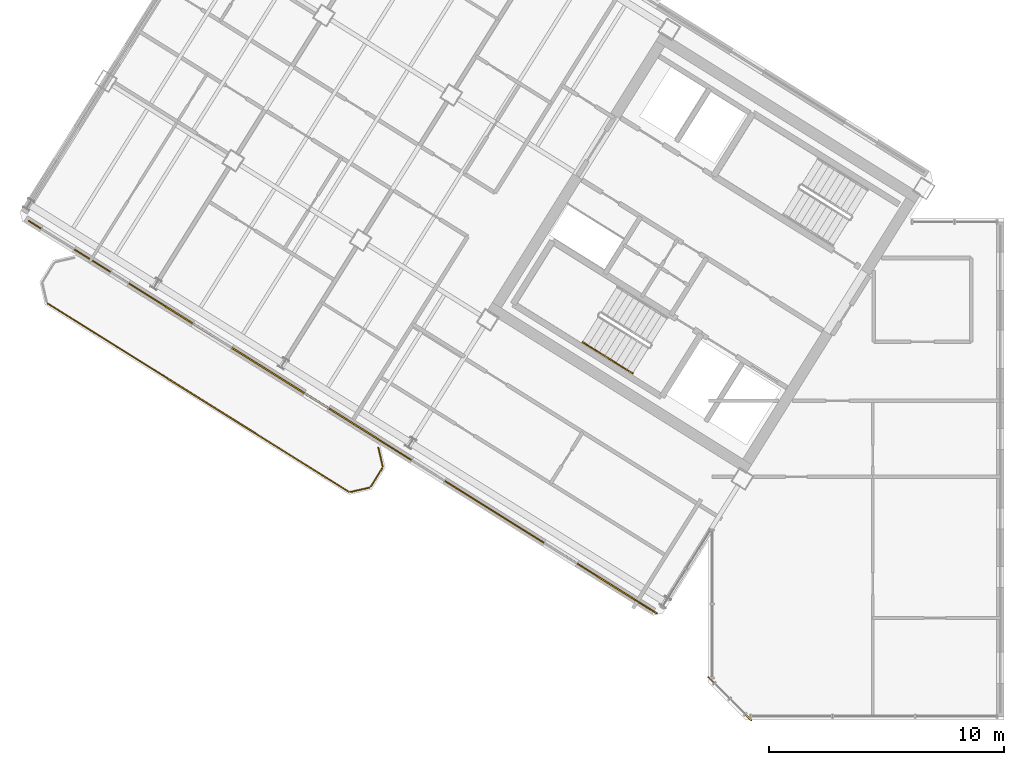
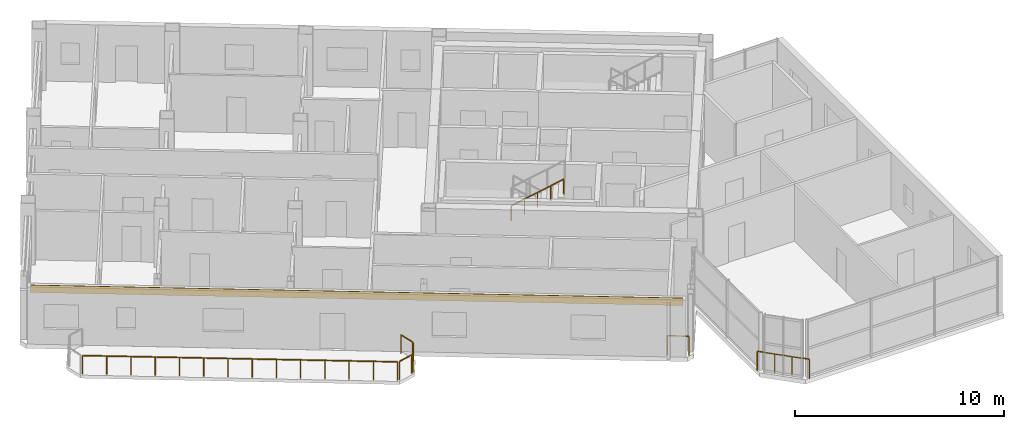
# One storey, part 12 of 17: 8 railings, 1 covering.
"""IFC4 building model written with IfcOpenShell, lengths in metres."""

import ifcopenshell
import ifcopenshell.guid

model = None  # the IFC model being written
_history = None  # IfcOwnerHistory: only IFC2X3 demands one
_inside = {}  # id of a spatial element -> (the spatial element, [elements in it])
_under = {}  # id of a project, library or spatial element -> (it, [spatial elements below it])
_declared = {}  # id of a project -> (the project, [libraries it declares])
_typed = {}  # id of a type object -> (the type object, [elements of that type])
_made_of = {}  # id of a material, layer set ... -> (it, [elements and type objects made of it])


def new_model(schema):
    """Start an empty IFC model of exactly this schema.

    Asked for "IFC4X3", IfcOpenShell would pick the latest addendum, in which some entities
    have other attributes; the version numbers below select the first issue.
    IFC2X3 requires an IfcOwnerHistory on every rooted entity: one is made here for all.
    """
    global model, _history
    if schema == "IFC4X3":
        model = ifcopenshell.file(schema_version=(4, 3, 0, 0))
    else:
        model = ifcopenshell.file(schema=schema)
    _inside.clear()
    _under.clear()
    _declared.clear()
    _typed.clear()
    _made_of.clear()
    _history = None
    if model.schema == "IFC2X3":
        org = make("IfcOrganization", Name="unknown")
        user = make(
            "IfcPersonAndOrganization",
            ThePerson=make("IfcPerson", FamilyName="unknown"),
            TheOrganization=org,
        )
        app = make(
            "IfcApplication",
            ApplicationDeveloper=org,
            Version="unknown",
            ApplicationFullName="unknown",
            ApplicationIdentifier="unknown",
        )
        _history = make(
            "IfcOwnerHistory",
            OwningUser=user,
            OwningApplication=app,
            ChangeAction="ADDED",
            CreationDate=0,
        )
    return model


def make(cls, **values):
    """One entity of the class cls with the attributes given. An attribute that is None is left unset."""
    return model.create_entity(
        cls, **{name: value for name, value in values.items() if value is not None}
    )


def rooted(cls, **values):
    """An entity with a GlobalId (a new one), such as an element, a storey or a relation."""
    return make(cls, GlobalId=ifcopenshell.guid.new(), OwnerHistory=_history, **values)


def si_unit(unit_type, name, prefix=None):
    """IfcSIUnit, for example si_unit("LENGTHUNIT", "METRE", prefix="MILLI")."""
    return make("IfcSIUnit", UnitType=unit_type, Prefix=prefix, Name=name)


def assignment(units):
    """IfcUnitAssignment: the units of a project."""
    return None if units is None else make("IfcUnitAssignment", Units=units)


def point(xyz):
    """IfcCartesianPoint."""
    return None if xyz is None else make("IfcCartesianPoint", Coordinates=xyz)


def direction(xyz):
    """IfcDirection."""
    return None if xyz is None else make("IfcDirection", DirectionRatios=xyz)


def frame(location, z_axis=None, x_axis=None):
    """IfcAxis2Placement3D, a coordinate frame: its origin and axes. An axis left out is left unset."""
    return make(
        "IfcAxis2Placement3D",
        Location=point(location),
        Axis=direction(z_axis),
        RefDirection=direction(x_axis),
    )


def frame_2d(location, x_axis=None):
    """IfcAxis2Placement2D, a coordinate frame in the plane: its origin and x axis."""
    return make(
        "IfcAxis2Placement2D", Location=point(location), RefDirection=direction(x_axis)
    )


def origin():
    """The frame at (0, 0, 0) with its axes left unset."""
    return frame((0.0, 0.0, 0.0))


def origin_2d():
    """The frame at (0, 0) in the plane with its x axis left unset."""
    return frame_2d((0.0, 0.0))


def place(relative_to, where):
    """IfcLocalPlacement: puts the frame where relative to a parent placement (None: the world)."""
    return make(
        "IfcLocalPlacement", PlacementRelTo=relative_to, RelativePlacement=where
    )


def context(
    kind, dimensions, precision=None, world=None, true_north=None, identifier=None
):
    """IfcGeometricRepresentationContext, for example the 3D "Model" context."""
    return make(
        "IfcGeometricRepresentationContext",
        ContextIdentifier=identifier,
        ContextType=kind,
        CoordinateSpaceDimension=dimensions,
        Precision=precision,
        WorldCoordinateSystem=world,
        TrueNorth=true_north,
    )


def subcontext(parent, identifier, kind, view, scale=None):
    """IfcGeometricRepresentationSubContext, for example "Body" below "Model"."""
    return make(
        "IfcGeometricRepresentationSubContext",
        ContextIdentifier=identifier,
        ContextType=kind,
        ParentContext=parent,
        TargetScale=scale,
        TargetView=view,
    )


def project(units=None, contexts=None):
    """IfcProject with its units and contexts."""
    return rooted(
        "IfcProject",
        Name="project",
        RepresentationContexts=contexts,
        UnitsInContext=assignment(units),
    )


def spatial(cls, under=None, at=None, **own):
    """A site, building, storey or space (cls), placed at a placement, below another one or the project."""
    s = rooted(cls, ObjectPlacement=at, **own)
    if under is not None:
        _under.setdefault(under.id(), (under, []))[1].append(s)
    return s


def profile(cls, at=None, kind="AREA", **sizes):
    """A parametric profile (cls). Its sizes go by their IFC names, for example OverallWidth=200.0."""
    return make(cls, ProfileType=kind, Position=at, **sizes)


def rectangle(**sizes):
    """IfcRectangleProfileDef."""
    return profile("IfcRectangleProfileDef", **sizes)


def extrude(swept, where, along, depth):
    """IfcExtrudedAreaSolid: the profile swept, set in the frame where, extruded along a direction by depth."""
    return make(
        "IfcExtrudedAreaSolid",
        SweptArea=swept,
        Position=where,
        ExtrudedDirection=direction(along),
        Depth=depth,
    )


def shape(context_of_items, identifier, shape_type, items):
    """IfcShapeRepresentation: the items that make up one representation, for example the "Body"."""
    return make(
        "IfcShapeRepresentation",
        ContextOfItems=context_of_items,
        RepresentationIdentifier=identifier,
        RepresentationType=shape_type,
        Items=items,
    )


def source(mapping_origin, context_of_items, identifier, shape_type, items):
    """IfcRepresentationMap: a shape defined once, which mapped items show again and again."""
    return make(
        "IfcRepresentationMap",
        MappingOrigin=mapping_origin,
        MappedRepresentation=shape(context_of_items, identifier, shape_type, items),
    )


def transform(
    local_origin,
    x_axis=None,
    y_axis=None,
    z_axis=None,
    scale=None,
    scale2=None,
    scale3=None,
    uniform=True,
):
    """IfcCartesianTransformationOperator3D, or its non-uniform kind. x_axis, y_axis, z_axis: its Axis1, 2, 3."""
    if uniform:
        return make(
            "IfcCartesianTransformationOperator3D",
            Axis1=direction(x_axis),
            Axis2=direction(y_axis),
            LocalOrigin=point(local_origin),
            Scale=scale,
            Axis3=direction(z_axis),
        )
    return make(
        "IfcCartesianTransformationOperator3DnonUniform",
        Axis1=direction(x_axis),
        Axis2=direction(y_axis),
        LocalOrigin=point(local_origin),
        Scale=scale,
        Axis3=direction(z_axis),
        Scale2=scale2,
        Scale3=scale3,
    )


def mapped(mapping_source, mapping_target):
    """IfcMappedItem: shows the shape of a source again, moved by a transform."""
    return make(
        "IfcMappedItem", MappingSource=mapping_source, MappingTarget=mapping_target
    )


def material(Name=None, Category=None):
    """IfcMaterial."""
    return make("IfcMaterial", Name=Name, Category=Category)


def layer(
    of_material, thickness, ventilated=None, Name=None, Category=None, Priority=None
):
    """IfcMaterialLayer: one layer of a wall or slab, of a material (None: an air gap)."""
    return make(
        "IfcMaterialLayer",
        Material=of_material,
        LayerThickness=thickness,
        IsVentilated=ventilated,
        Name=Name,
        Category=Category,
        Priority=Priority,
    )


def layer_set(layers, Name=None):
    """IfcMaterialLayerSet."""
    return make("IfcMaterialLayerSet", MaterialLayers=layers, LayerSetName=Name)


def made_of(thing, what):
    """Note that an element or type object is made of a material, layer set ...; save() writes the relation."""
    if what is not None:
        _made_of.setdefault(what.id(), (what, []))[1].append(thing)
    return thing


def type_object(cls, material=None, **own):
    """A type object (cls), such as IfcWallType, which elements share."""
    return made_of(rooted(cls, **own), material)


def element(
    cls,
    number,
    at=None,
    inside=None,
    cuts=None,
    type_object=None,
    material=None,
    context=None,
    identifier="Body",
    shape_type=None,
    held_by="IfcProductDefinitionShape",
    body=None,
    shapes=None,
    **own,
):
    """One element of the class cls, such as IfcWall. Its Tag is "e" and its number.

    at: its placement. inside: the storey or other place that contains it. cuts: it is an
    opening in that element (IfcRelVoidsElement). A single representation is given by context,
    identifier, shape_type and body (its items); several are given by shapes. held_by: the class
    of the entity that holds the representations. save() writes the other relations.
    """
    e = rooted(cls, Tag="e%d" % number, ObjectPlacement=at, **own)
    if body is not None:
        shapes = [shape(context, identifier, shape_type, body)]
    if shapes is not None:
        e.Representation = make(held_by, Representations=shapes)
    if inside is not None:
        _inside.setdefault(inside.id(), (inside, []))[1].append(e)
    if cuts is not None:
        rooted(
            "IfcRelVoidsElement", RelatingBuildingElement=cuts, RelatedOpeningElement=e
        )
    if type_object is not None:
        _typed.setdefault(type_object.id(), (type_object, []))[1].append(e)
    return made_of(e, material)


def aggregate(whole, parts):
    """IfcRelAggregates: a whole, such as a stair, and the parts it consists of."""
    return rooted("IfcRelAggregates", RelatingObject=whole, RelatedObjects=parts)


def save(model, path):
    """Write the relations noted so far, then the file.

    IfcRelAggregates (storeys below a building ...), IfcRelContainedInSpatialStructure (elements
    in a storey), IfcRelDefinesByType, IfcRelAssociatesMaterial and IfcRelDeclares: one each for
    every whole, place, type object, material and project.
    """
    for whole, parts in _under.values():
        aggregate(whole, parts)
    for where, things in _inside.values():
        rooted(
            "IfcRelContainedInSpatialStructure",
            RelatedElements=things,
            RelatingStructure=where,
        )
    for kind, things in _typed.values():
        rooted("IfcRelDefinesByType", RelatedObjects=things, RelatingType=kind)
    for what, things in _made_of.values():
        rooted("IfcRelAssociatesMaterial", RelatedObjects=things, RelatingMaterial=what)
    for by, libraries in _declared.values():
        rooted("IfcRelDeclares", RelatingContext=by, RelatedDefinitions=libraries)
    model.write(path)


model = new_model("IFC4")

# Units and contexts
model_context = context("Model", 3, precision=1e-05, world=origin(), true_north=direction((0.0, 1.0)))
body_context = subcontext(model_context, "Body", "Model", "MODEL_VIEW")
ifc_project = project(units=[si_unit("LENGTHUNIT", "METRE"), si_unit("AREAUNIT", "SQUARE_METRE"), si_unit("VOLUMEUNIT", "CUBIC_METRE"), si_unit("PLANEANGLEUNIT", "RADIAN"), si_unit("MASSUNIT", "GRAM", prefix="KILO")], contexts=[model_context])

# Site, building, storey
site_placement = place(None, origin())
site = spatial("IfcSite", under=ifc_project, at=site_placement, CompositionType="ELEMENT")
building_placement = place(site_placement, origin())
building = spatial("IfcBuilding", under=site, at=building_placement, Name="Tlacorven Tower", CompositionType="ELEMENT")
storey_placement = place(building_placement, frame((0.0, 0.0, 270.0)))
storey = spatial("IfcBuildingStorey", under=building, at=storey_placement, Name="L68", CompositionType="ELEMENT", Elevation=270.0)

# Railings
ifc_material_1 = material(Name="Aluminium and painted steel balustrade", Category="steel")
railing_type_1 = type_object("IfcRailingType", Name="RL-BAL-1100", PredefinedType="BALUSTRADE", material=ifc_material_1)
shared_shape_1 = source(origin(), body_context, "Body", "SweptSolid", [
    extrude(rectangle(XDim=0.048095703125, YDim=0.048095703125, at=origin_2d()), frame((0.0, 0.0, 1.076171875), z_axis=(0.225058334816, -0.974345290916, 0.0), x_axis=(0.974345290916, 0.225058334816, 0.0)), (0.0, 0.0, 1.0), 0.80712890625),
    extrude(rectangle(XDim=0.0419921875, YDim=0.0419921875, at=origin_2d()), origin(), (0.0, 0.0, 1.0), 1.052001953125),
    extrude(rectangle(XDim=0.0419921875, YDim=0.0419921875, at=origin_2d()), frame((0.181640625, -0.786376953125, 0.0)), (0.0, 0.0, 1.0), 1.052001953125),
])
railing_1_placement = place(storey_placement, frame((17.5244140625, 13.413330078125, 0.0)))
element("IfcRailing", 1, at=railing_1_placement, inside=storey, type_object=railing_type_1, Name="BAL-L68-W-OUT Guard Railing 1", PredefinedType="BALUSTRADE", context=body_context, shape_type="MappedRepresentation", body=[
    mapped(shared_shape_1, transform((0.0, 0.0, 0.0), scale=1.0)),
])
shared_shape_2 = source(origin(), body_context, "Body", "SweptSolid", [
    extrude(rectangle(XDim=0.048095703125, YDim=0.048095703125, at=origin_2d()), frame((0.0, 0.0, 1.076171875), z_axis=(-0.52987865805, -0.848073468364, 0.0), x_axis=(0.848073468364, -0.52987865805, 0.0)), (0.0, 0.0, 1.0), 0.912353515625),
    extrude(rectangle(XDim=0.0419921875, YDim=0.0419921875, at=origin_2d()), origin(), (0.0, 0.0, 1.0), 1.052001953125),
    extrude(rectangle(XDim=0.0419921875, YDim=0.0419921875, at=origin_2d()), frame((-0.4833984375, -0.773681640625, 0.0)), (0.0, 0.0, 1.0), 1.052001953125),
])
railing_2_placement = place(storey_placement, frame((17.690673828125, 12.535888671875, 0.0)))
element("IfcRailing", 2, at=railing_2_placement, inside=storey, type_object=railing_type_1, Name="BAL-L68-W-OUT Guard Railing 2", PredefinedType="BALUSTRADE", context=body_context, shape_type="MappedRepresentation", body=[
    mapped(shared_shape_2, transform((0.0, 0.0, 0.0), scale=1.0)),
])
shared_shape_3 = source(origin(), body_context, "Body", "SweptSolid", [
    extrude(rectangle(XDim=0.048095703125, YDim=0.048095703125, at=origin_2d()), frame((0.0, 0.0, 1.076171875), z_axis=(-0.974411586182, -0.224771129628, 0.0), x_axis=(0.224771129628, -0.974411586182, 0.0)), (0.0, 0.0, 1.0), 0.80712890625),
    extrude(rectangle(XDim=0.0419921875, YDim=0.0419921875, at=origin_2d()), origin(), (0.0, 0.0, 1.0), 1.052001953125),
    extrude(rectangle(XDim=0.0419921875, YDim=0.0419921875, at=origin_2d()), frame((-0.786376953125, -0.181396484375, 0.0)), (0.0, 0.0, 1.0), 1.052001953125),
])
railing_3_placement = place(storey_placement, frame((17.132080078125, 11.70849609375, 0.0)))
element("IfcRailing", 3, at=railing_3_placement, inside=storey, type_object=railing_type_1, Name="BAL-L68-W-OUT Guard Railing 3", PredefinedType="BALUSTRADE", context=body_context, shape_type="MappedRepresentation", body=[
    mapped(shared_shape_3, transform((0.0, 0.0, 0.0), scale=1.0)),
])
shared_shape_4 = source(origin(), body_context, "Body", "SweptSolid", [
    extrude(rectangle(XDim=0.048095703125, YDim=0.048095703125, at=origin_2d()), frame((0.0, 0.0, 1.076171875), z_axis=(-0.848044572804, 0.529924902733, 0.0), x_axis=(-0.529924902733, -0.848044572804, 0.0)), (0.0, 0.0, 1.0), 15.1171875),
    extrude(rectangle(XDim=0.0419921875, YDim=0.0419921875, at=origin_2d()), origin(), (0.0, 0.0, 1.0), 1.052001953125),
    extrude(rectangle(XDim=0.0419921875, YDim=0.0419921875, at=origin_2d()), frame((-0.986083984375, 0.6162109375, 0.0)), (0.0, 0.0, 1.0), 1.052001953125),
    extrude(rectangle(XDim=0.0419921875, YDim=0.0419921875, at=origin_2d()), frame((-1.972412109375, 1.232421875, 0.0)), (0.0, 0.0, 1.0), 1.052001953125),
    extrude(rectangle(XDim=0.0419921875, YDim=0.0419921875, at=origin_2d()), frame((-2.95849609375, 1.8486328125, 0.0)), (0.0, 0.0, 1.0), 1.052001953125),
    extrude(rectangle(XDim=0.0419921875, YDim=0.0419921875, at=origin_2d()), frame((-3.944580078125, 2.46484375, 0.0)), (0.0, 0.0, 1.0), 1.052001953125),
    extrude(rectangle(XDim=0.0419921875, YDim=0.0419921875, at=origin_2d()), frame((-4.930908203125, 3.0810546875, 0.0)), (0.0, 0.0, 1.0), 1.052001953125),
    extrude(rectangle(XDim=0.0419921875, YDim=0.0419921875, at=origin_2d()), frame((-5.9169921875, 3.697265625, 0.0)), (0.0, 0.0, 1.0), 1.052001953125),
    extrude(rectangle(XDim=0.0419921875, YDim=0.0419921875, at=origin_2d()), frame((-6.903076171875, 4.313720703125, 0.0)), (0.0, 0.0, 1.0), 1.052001953125),
    extrude(rectangle(XDim=0.0419921875, YDim=0.0419921875, at=origin_2d()), frame((-7.88916015625, 4.929931640625, 0.0)), (0.0, 0.0, 1.0), 1.052001953125),
    extrude(rectangle(XDim=0.0419921875, YDim=0.0419921875, at=origin_2d()), frame((-8.87548828125, 5.546142578125, 0.0)), (0.0, 0.0, 1.0), 1.052001953125),
    extrude(rectangle(XDim=0.0419921875, YDim=0.0419921875, at=origin_2d()), frame((-9.861572265625, 6.162353515625, 0.0)), (0.0, 0.0, 1.0), 1.052001953125),
    extrude(rectangle(XDim=0.0419921875, YDim=0.0419921875, at=origin_2d()), frame((-10.84765625, 6.778564453125, 0.0)), (0.0, 0.0, 1.0), 1.052001953125),
    extrude(rectangle(XDim=0.0419921875, YDim=0.0419921875, at=origin_2d()), frame((-11.833984375, 7.394775390625, 0.0)), (0.0, 0.0, 1.0), 1.052001953125),
    extrude(rectangle(XDim=0.0419921875, YDim=0.0419921875, at=origin_2d()), frame((-12.820068359375, 8.010986328125, 0.0)), (0.0, 0.0, 1.0), 1.052001953125),
])
railing_4_placement = place(storey_placement, frame((16.254638671875, 11.542236328125, 0.0)))
element("IfcRailing", 4, at=railing_4_placement, inside=storey, type_object=railing_type_1, Name="BAL-L68-W-OUT Guard Railing 4", PredefinedType="BALUSTRADE", context=body_context, shape_type="MappedRepresentation", body=[
    mapped(shared_shape_4, transform((0.0, 0.0, 0.0), scale=1.0)),
])
railing_type_2 = type_object("IfcRailingType", Name="RL-GRD-1150", PredefinedType="GUARDRAIL", material=ifc_material_1)
shared_shape_5 = source(origin(), body_context, "Body", "SweptSolid", [
    extrude(rectangle(XDim=0.048095703125, YDim=0.048095703125, at=origin_2d()), frame((0.0, 0.0, 1.1259765625), z_axis=(-0.707106781187, 0.707106781187, 0.0), x_axis=(-0.707106781187, -0.707106781187, 0.0)), (0.0, 0.0, 1.0), 2.590087890625),
    extrude(rectangle(XDim=0.0419921875, YDim=0.0419921875, at=origin_2d()), origin(), (0.0, 0.0, 1.0), 1.101806640625),
    extrude(rectangle(XDim=0.0419921875, YDim=0.0419921875, at=origin_2d()), frame((-0.610595703125, 0.610595703125, 0.0)), (0.0, 0.0, 1.0), 1.101806640625),
    extrude(rectangle(XDim=0.0419921875, YDim=0.0419921875, at=origin_2d()), frame((-1.220947265625, 1.220947265625, 0.0)), (0.0, 0.0, 1.0), 1.101806640625),
    extrude(rectangle(XDim=0.0419921875, YDim=0.0419921875, at=origin_2d()), frame((-1.83154296875, 1.83154296875, 0.0)), (0.0, 0.0, 1.0), 1.101806640625),
])
railing_5_placement = place(storey_placement, frame((33.428955078125, 1.79736328125, 0.0)))
element("IfcRailing", 5, at=railing_5_placement, inside=storey, type_object=railing_type_2, Name="L68 Knuckle Glazed Sill Guard 1", PredefinedType="GUARDRAIL", context=body_context, shape_type="MappedRepresentation", body=[
    mapped(shared_shape_5, transform((0.0, 0.0, 0.0), scale=1.0)),
])
shared_shape_6 = source(origin(), body_context, "Body", "SweptSolid", [
    extrude(rectangle(XDim=0.048095703125, YDim=0.048095703125, at=origin_2d()), frame((0.0, 0.0, 1.1259765625), z_axis=(-0.848102774857, 0.529831749973, 0.0), x_axis=(-0.529831749973, -0.848102774857, 0.0)), (0.0, 0.0, 1.0), 1.050048828125),
    extrude(rectangle(XDim=0.0419921875, YDim=0.0419921875, at=origin_2d()), origin(), (0.0, 0.0, 1.0), 1.101806640625),
    extrude(rectangle(XDim=0.0419921875, YDim=0.0419921875, at=origin_2d()), frame((-0.890625, 0.556396484375, 0.0)), (0.0, 0.0, 1.0), 1.101806640625),
])
railing_6_placement = place(storey_placement, frame((29.39501953125, 6.35009765625, 0.0)))
element("IfcRailing", 6, at=railing_6_placement, inside=storey, type_object=railing_type_2, Name="L68 Knuckle Glazed Sill Guard 2", PredefinedType="GUARDRAIL", context=body_context, shape_type="MappedRepresentation", body=[
    mapped(shared_shape_6, transform((0.0, 0.0, 0.0), scale=1.0)),
])

# Covering
ifc_material_2 = material(Name="Precast concrete C45/55", Category="concrete")
ifc_layer = layer(ifc_material_2, 0.06005859375)
ifc_layer_set = layer_set([ifc_layer], Name="Precast concrete C45/55")
covering_type = type_object("IfcCoveringType", Name="CV-CLD-TERC", PredefinedType="CLADDING", material=ifc_layer_set)
shared_shape_7 = source(origin(), body_context, "Body", "SweptSolid", [
    extrude(rectangle(XDim=31.287353515625, YDim=0.06005859375, at=origin_2d()), origin(), (0.0, 0.0, 1.0), 0.419921875),
])
covering_placement = place(storey_placement, frame((15.8740234375, 14.798828125, 2.929931640625), z_axis=(0.0, 0.0, 1.0), x_axis=(-0.84804812172, 0.529919223323, 0.0)))
element("IfcCovering", 7, at=covering_placement, inside=storey, type_object=covering_type, Name="L68 Masonry-Frame Spandrel Cladding 2", PredefinedType="CLADDING", context=body_context, shape_type="MappedRepresentation", body=[
    mapped(shared_shape_7, transform((0.0, 0.0, 0.0), scale=1.0)),
])

# Railings
railing_type_3 = type_object("IfcRailingType", Name="RL-HND-0900", PredefinedType="HANDRAIL", material=ifc_material_1)
shared_shape_8 = source(origin(), body_context, "Body", "SweptSolid", [
    extrude(rectangle(XDim=0.048095703125, YDim=0.048095703125, at=origin_2d()), frame((0.0, 0.0, 0.8759765625), z_axis=(0.713359751793, -0.4457479829, 0.540764828981), x_axis=(0.529911857636, 0.848052724267, 0.0)), (0.0, 0.0, 1.0), 1.498046875),
    extrude(rectangle(XDim=0.0419921875, YDim=0.0419921875, at=origin_2d()), origin(), (0.0, 0.0, 1.0), 0.851806640625),
    extrude(rectangle(XDim=0.0419921875, YDim=0.0419921875, at=origin_2d()), frame((0.5341796875, -0.333984375, 0.405029296875)), (0.0, 0.0, 1.0), 0.851806640625),
    extrude(rectangle(XDim=0.0419921875, YDim=0.0419921875, at=origin_2d()), frame((1.068603515625, -0.667724609375, 0.81005859375)), (0.0, 0.0, 1.0), 0.851806640625),
])
railing_7_placement = place(storey_placement, frame((26.228759765625, 17.915283203125, 1.97998046875)))
element("IfcRailing", 8, at=railing_7_placement, inside=storey, type_object=railing_type_3, Name="L68 ST-W1 stair handrail 3", PredefinedType="HANDRAIL", context=body_context, shape_type="MappedRepresentation", body=[
    mapped(shared_shape_8, transform((0.0, 0.0, 0.0), scale=1.0)),
])
shared_shape_9 = source(origin(), body_context, "Body", "SweptSolid", [
    extrude(rectangle(XDim=0.048095703125, YDim=0.048095703125, at=origin_2d()), frame((0.0, 0.0, 0.8759765625), z_axis=(0.713279695859, -0.445799809912, 0.540827703579), x_axis=(0.529998940003, 0.847998304005, 0.0)), (0.0, 0.0, 1.0), 1.497802734375),
    extrude(rectangle(XDim=0.0419921875, YDim=0.0419921875, at=origin_2d()), origin(), (0.0, 0.0, 1.0), 0.851806640625),
    extrude(rectangle(XDim=0.0419921875, YDim=0.0419921875, at=origin_2d()), frame((0.5341796875, -0.333984375, 0.405029296875)), (0.0, 0.0, 1.0), 0.851806640625),
    extrude(rectangle(XDim=0.0419921875, YDim=0.0419921875, at=origin_2d()), frame((1.068359375, -0.667724609375, 0.81005859375)), (0.0, 0.0, 1.0), 0.851806640625),
])
railing_8_placement = place(storey_placement, frame((27.29736328125, 17.24755859375, 2.7900390625)))
element("IfcRailing", 9, at=railing_8_placement, inside=storey, type_object=railing_type_3, Name="L68 ST-W1 stair handrail 4", PredefinedType="HANDRAIL", context=body_context, shape_type="MappedRepresentation", body=[
    mapped(shared_shape_9, transform((0.0, 0.0, 0.0), scale=1.0)),
])

save(model, "model.ifc")
